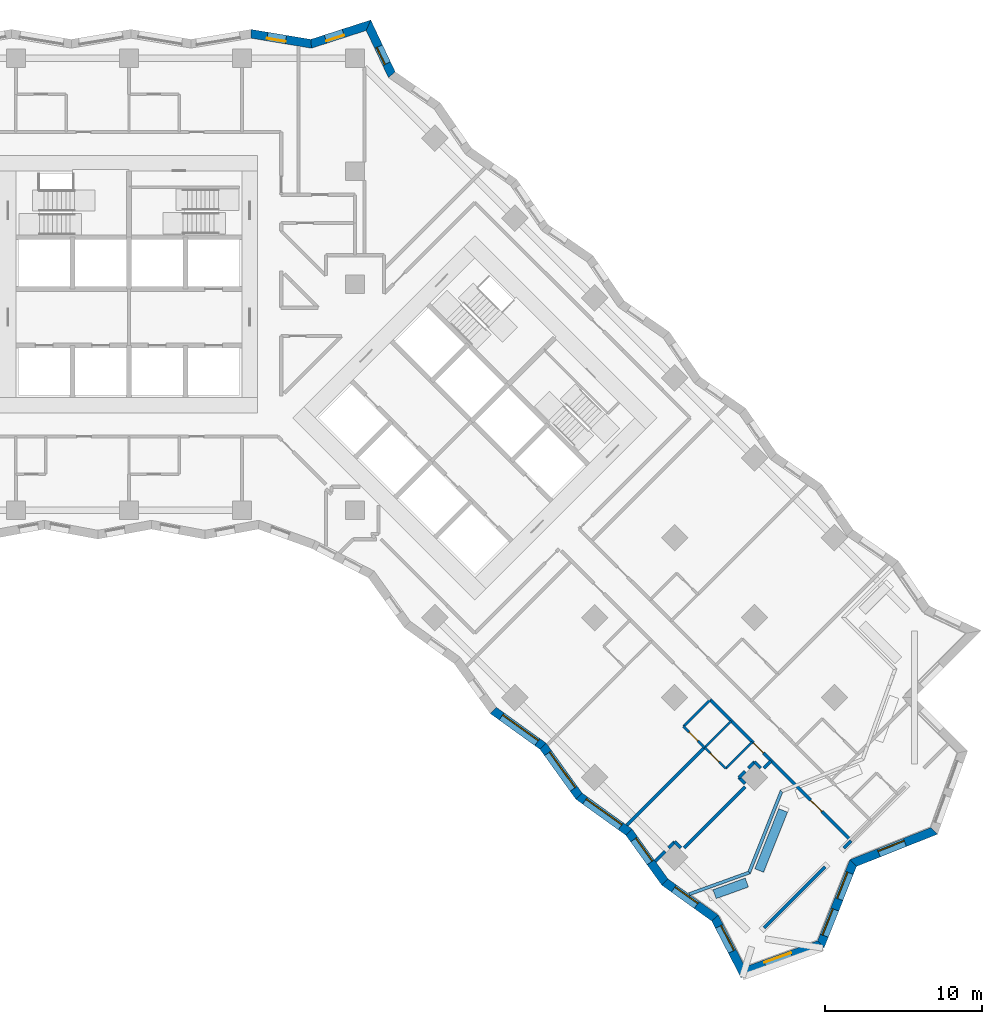
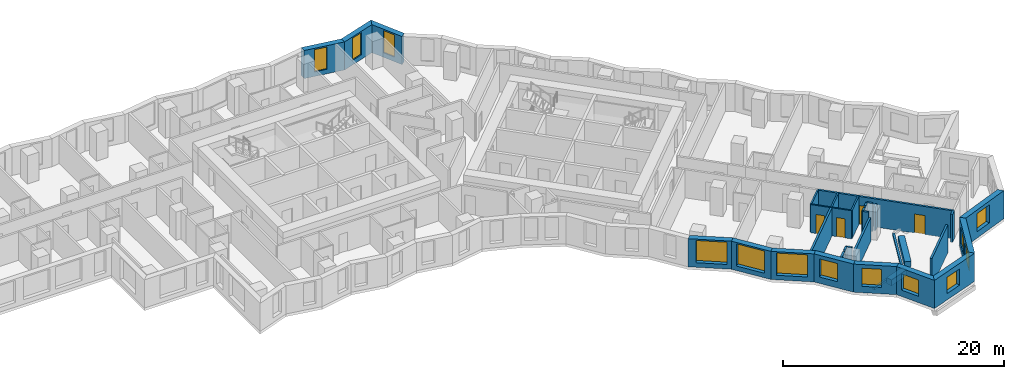
# One storey, part 7 of 13: 34 walls, 13 windows, 4 doors, 17 openings.
"""IFC4 building model written with IfcOpenShell, lengths in metres."""

import ifcopenshell
import ifcopenshell.guid

model = None  # the IFC model being written
_history = None  # IfcOwnerHistory: only IFC2X3 demands one
_inside = {}  # id of a spatial element -> (the spatial element, [elements in it])
_under = {}  # id of a project, library or spatial element -> (it, [spatial elements below it])
_declared = {}  # id of a project -> (the project, [libraries it declares])
_typed = {}  # id of a type object -> (the type object, [elements of that type])
_made_of = {}  # id of a material, layer set ... -> (it, [elements and type objects made of it])


def new_model(schema):
    """Start an empty IFC model of exactly this schema.

    Asked for "IFC4X3", IfcOpenShell would pick the latest addendum, in which some entities
    have other attributes; the version numbers below select the first issue.
    IFC2X3 requires an IfcOwnerHistory on every rooted entity: one is made here for all.
    """
    global model, _history
    if schema == "IFC4X3":
        model = ifcopenshell.file(schema_version=(4, 3, 0, 0))
    else:
        model = ifcopenshell.file(schema=schema)
    _inside.clear()
    _under.clear()
    _declared.clear()
    _typed.clear()
    _made_of.clear()
    _history = None
    if model.schema == "IFC2X3":
        org = make("IfcOrganization", Name="unknown")
        user = make(
            "IfcPersonAndOrganization",
            ThePerson=make("IfcPerson", FamilyName="unknown"),
            TheOrganization=org,
        )
        app = make(
            "IfcApplication",
            ApplicationDeveloper=org,
            Version="unknown",
            ApplicationFullName="unknown",
            ApplicationIdentifier="unknown",
        )
        _history = make(
            "IfcOwnerHistory",
            OwningUser=user,
            OwningApplication=app,
            ChangeAction="ADDED",
            CreationDate=0,
        )
    return model


def make(cls, **values):
    """One entity of the class cls with the attributes given. An attribute that is None is left unset."""
    return model.create_entity(
        cls, **{name: value for name, value in values.items() if value is not None}
    )


def rooted(cls, **values):
    """An entity with a GlobalId (a new one), such as an element, a storey or a relation."""
    return make(cls, GlobalId=ifcopenshell.guid.new(), OwnerHistory=_history, **values)


def si_unit(unit_type, name, prefix=None):
    """IfcSIUnit, for example si_unit("LENGTHUNIT", "METRE", prefix="MILLI")."""
    return make("IfcSIUnit", UnitType=unit_type, Prefix=prefix, Name=name)


def assignment(units):
    """IfcUnitAssignment: the units of a project."""
    return None if units is None else make("IfcUnitAssignment", Units=units)


def point(xyz):
    """IfcCartesianPoint."""
    return None if xyz is None else make("IfcCartesianPoint", Coordinates=xyz)


def direction(xyz):
    """IfcDirection."""
    return None if xyz is None else make("IfcDirection", DirectionRatios=xyz)


def frame(location, z_axis=None, x_axis=None):
    """IfcAxis2Placement3D, a coordinate frame: its origin and axes. An axis left out is left unset."""
    return make(
        "IfcAxis2Placement3D",
        Location=point(location),
        Axis=direction(z_axis),
        RefDirection=direction(x_axis),
    )


def frame_2d(location, x_axis=None):
    """IfcAxis2Placement2D, a coordinate frame in the plane: its origin and x axis."""
    return make(
        "IfcAxis2Placement2D", Location=point(location), RefDirection=direction(x_axis)
    )


def origin():
    """The frame at (0, 0, 0) with its axes left unset."""
    return frame((0.0, 0.0, 0.0))


def place(relative_to, where):
    """IfcLocalPlacement: puts the frame where relative to a parent placement (None: the world)."""
    return make(
        "IfcLocalPlacement", PlacementRelTo=relative_to, RelativePlacement=where
    )


def context(
    kind, dimensions, precision=None, world=None, true_north=None, identifier=None
):
    """IfcGeometricRepresentationContext, for example the 3D "Model" context."""
    return make(
        "IfcGeometricRepresentationContext",
        ContextIdentifier=identifier,
        ContextType=kind,
        CoordinateSpaceDimension=dimensions,
        Precision=precision,
        WorldCoordinateSystem=world,
        TrueNorth=true_north,
    )


def subcontext(parent, identifier, kind, view, scale=None):
    """IfcGeometricRepresentationSubContext, for example "Body" below "Model"."""
    return make(
        "IfcGeometricRepresentationSubContext",
        ContextIdentifier=identifier,
        ContextType=kind,
        ParentContext=parent,
        TargetScale=scale,
        TargetView=view,
    )


def project(units=None, contexts=None):
    """IfcProject with its units and contexts."""
    return rooted(
        "IfcProject",
        Name="project",
        RepresentationContexts=contexts,
        UnitsInContext=assignment(units),
    )


def spatial(cls, under=None, at=None, **own):
    """A site, building, storey or space (cls), placed at a placement, below another one or the project."""
    s = rooted(cls, ObjectPlacement=at, **own)
    if under is not None:
        _under.setdefault(under.id(), (under, []))[1].append(s)
    return s


def polyline(points):
    """IfcPolyline through the points."""
    return make("IfcPolyline", Points=[point(p) for p in points])


def profile(cls, at=None, kind="AREA", **sizes):
    """A parametric profile (cls). Its sizes go by their IFC names, for example OverallWidth=200.0."""
    return make(cls, ProfileType=kind, Position=at, **sizes)


def rectangle(**sizes):
    """IfcRectangleProfileDef."""
    return profile("IfcRectangleProfileDef", **sizes)


def outline(outer, holes=None, kind="AREA"):
    """IfcArbitraryClosedProfileDef: a profile drawn as a closed curve; with holes, ...WithVoids."""
    if holes is None:
        return make("IfcArbitraryClosedProfileDef", ProfileType=kind, OuterCurve=outer)
    return make(
        "IfcArbitraryProfileDefWithVoids",
        ProfileType=kind,
        OuterCurve=outer,
        InnerCurves=holes,
    )


def extrude(swept, where, along, depth):
    """IfcExtrudedAreaSolid: the profile swept, set in the frame where, extruded along a direction by depth."""
    return make(
        "IfcExtrudedAreaSolid",
        SweptArea=swept,
        Position=where,
        ExtrudedDirection=direction(along),
        Depth=depth,
    )


def shape(context_of_items, identifier, shape_type, items):
    """IfcShapeRepresentation: the items that make up one representation, for example the "Body"."""
    return make(
        "IfcShapeRepresentation",
        ContextOfItems=context_of_items,
        RepresentationIdentifier=identifier,
        RepresentationType=shape_type,
        Items=items,
    )


def material(Name=None, Category=None):
    """IfcMaterial."""
    return make("IfcMaterial", Name=Name, Category=Category)


def layer(
    of_material, thickness, ventilated=None, Name=None, Category=None, Priority=None
):
    """IfcMaterialLayer: one layer of a wall or slab, of a material (None: an air gap)."""
    return make(
        "IfcMaterialLayer",
        Material=of_material,
        LayerThickness=thickness,
        IsVentilated=ventilated,
        Name=Name,
        Category=Category,
        Priority=Priority,
    )


def layer_set(layers, Name=None):
    """IfcMaterialLayerSet."""
    return make("IfcMaterialLayerSet", MaterialLayers=layers, LayerSetName=Name)


def made_of(thing, what):
    """Note that an element or type object is made of a material, layer set ...; save() writes the relation."""
    if what is not None:
        _made_of.setdefault(what.id(), (what, []))[1].append(thing)
    return thing


def type_object(cls, material=None, **own):
    """A type object (cls), such as IfcWallType, which elements share."""
    return made_of(rooted(cls, **own), material)


def element(
    cls,
    number,
    at=None,
    inside=None,
    cuts=None,
    type_object=None,
    material=None,
    context=None,
    identifier="Body",
    shape_type=None,
    held_by="IfcProductDefinitionShape",
    body=None,
    shapes=None,
    **own,
):
    """One element of the class cls, such as IfcWall. Its Tag is "e" and its number.

    at: its placement. inside: the storey or other place that contains it. cuts: it is an
    opening in that element (IfcRelVoidsElement). A single representation is given by context,
    identifier, shape_type and body (its items); several are given by shapes. held_by: the class
    of the entity that holds the representations. save() writes the other relations.
    """
    e = rooted(cls, Tag="e%d" % number, ObjectPlacement=at, **own)
    if body is not None:
        shapes = [shape(context, identifier, shape_type, body)]
    if shapes is not None:
        e.Representation = make(held_by, Representations=shapes)
    if inside is not None:
        _inside.setdefault(inside.id(), (inside, []))[1].append(e)
    if cuts is not None:
        rooted(
            "IfcRelVoidsElement", RelatingBuildingElement=cuts, RelatedOpeningElement=e
        )
    if type_object is not None:
        _typed.setdefault(type_object.id(), (type_object, []))[1].append(e)
    return made_of(e, material)


def fill(opening, filler):
    """IfcRelFillsElement: the door or window that sits in an opening."""
    return rooted(
        "IfcRelFillsElement",
        RelatingOpeningElement=opening,
        RelatedBuildingElement=filler,
    )


def aggregate(whole, parts):
    """IfcRelAggregates: a whole, such as a stair, and the parts it consists of."""
    return rooted("IfcRelAggregates", RelatingObject=whole, RelatedObjects=parts)


def save(model, path):
    """Write the relations noted so far, then the file.

    IfcRelAggregates (storeys below a building ...), IfcRelContainedInSpatialStructure (elements
    in a storey), IfcRelDefinesByType, IfcRelAssociatesMaterial and IfcRelDeclares: one each for
    every whole, place, type object, material and project.
    """
    for whole, parts in _under.values():
        aggregate(whole, parts)
    for where, things in _inside.values():
        rooted(
            "IfcRelContainedInSpatialStructure",
            RelatedElements=things,
            RelatingStructure=where,
        )
    for kind, things in _typed.values():
        rooted("IfcRelDefinesByType", RelatedObjects=things, RelatingType=kind)
    for what, things in _made_of.values():
        rooted("IfcRelAssociatesMaterial", RelatedObjects=things, RelatingMaterial=what)
    for by, libraries in _declared.values():
        rooted("IfcRelDeclares", RelatingContext=by, RelatedDefinitions=libraries)
    model.write(path)


model = new_model("IFC4")

# Units and contexts
model_context = context("Model", 3, precision=1e-05, world=origin(), true_north=direction((0.0, 1.0)))
body_context = subcontext(model_context, "Body", "Model", "MODEL_VIEW")
ifc_project = project(units=[si_unit("LENGTHUNIT", "METRE"), si_unit("AREAUNIT", "SQUARE_METRE"), si_unit("VOLUMEUNIT", "CUBIC_METRE"), si_unit("PLANEANGLEUNIT", "RADIAN"), si_unit("MASSUNIT", "GRAM", prefix="KILO")], contexts=[model_context])

# Site, building, storey
site_placement = place(None, origin())
site = spatial("IfcSite", under=ifc_project, at=site_placement, CompositionType="ELEMENT")
building_placement = place(site_placement, origin())
building = spatial("IfcBuilding", under=site, at=building_placement, Name="Windrow Commons", CompositionType="ELEMENT")
storey_placement = place(building_placement, frame((0.0, 0.0, 64.4)))
storey = spatial("IfcBuildingStorey", under=building, at=storey_placement, Name="L17", CompositionType="ELEMENT", Elevation=64.4)

# Wall, opening, window
ifc_material_1 = material(Name="Brick masonry, red clay brick", Category="masonry")
ifc_layer_1 = layer(ifc_material_1, 0.55)
ifc_layer_set_1 = layer_set([ifc_layer_1], Name="Brick facade wall 550")
wall_type_1 = type_object("IfcWallType", Name="Brick facade wall 550", PredefinedType="SOLIDWALL", material=ifc_layer_set_1)
wall_1_placement = place(storey_placement, frame((103.9195, 13.7708, 0.0), z_axis=(0.0, 0.0, 1.0), x_axis=(0.9406967124, 0.3392487217, 0.0)))
wall_1 = element("IfcWall", 1, at=wall_1_placement, inside=storey, type_object=wall_type_1, Name="Brick facade wall L17 1", PredefinedType="SOLIDWALL", context=body_context, shape_type="SweptSolid", body=[
    extrude(outline(polyline([(-0.2411, -0.275), (5.4022, -0.275), (5.1546, 0.275), (0.2411, 0.275), (-0.2411, -0.275)])), origin(), (0.0, 0.0, 1.0), 3.1),
])
opening_1_placement = place(wall_1_placement, frame((1.4894, 0.0, 0.7)))
opening_1 = element("IfcOpeningElement", 2, at=opening_1_placement, cuts=wall_1, Name="Opening W1M", PredefinedType="OPENING", context=body_context, shape_type="SweptSolid", body=[
    extrude(rectangle(XDim=1.8, YDim=1.8, at=frame_2d((0.9, 0.9))), frame((0.0, 0.285, 0.0), z_axis=(0.0, -1.0, 0.0), x_axis=(1.0, 0.0, 0.0)), (0.0, 0.0, 1.0), 0.57),
])
ifc_material_2 = material(Name="Clear float glass in anodised aluminium frame", Category="aluminium")
window_type_1 = type_object("IfcWindowType", Name="Window W1M bedroom 1800x1800", PartitioningType="SINGLE_PANEL", PredefinedType="WINDOW", material=ifc_material_2)
window_1_placement = place(opening_1_placement, origin())
window_1 = element("IfcWindow", 3, at=window_1_placement, inside=storey, type_object=window_type_1, Name="Window L17 1.1", OverallHeight=1.8, OverallWidth=1.8, PartitioningType="SINGLE_PANEL", PredefinedType="WINDOW", context=body_context, shape_type="SweptSolid", body=[
    extrude(rectangle(XDim=1.8, YDim=1.8, at=frame_2d((0.9, 0.9))), frame((0.0, 0.155, 0.0), z_axis=(0.0, -1.0, 0.0), x_axis=(1.0, 0.0, 0.0)), (0.0, 0.0, 1.0), 0.06),
])
fill(opening_1, window_1)

# Wall, openings, windows
wall_2_placement = place(storey_placement, frame((108.8849, 15.5615, 0.0), z_axis=(0.0, 0.0, 1.0), x_axis=(0.3697018694, 0.9291504333, 0.0)))
wall_2 = element("IfcWall", 4, at=wall_2_placement, inside=storey, type_object=wall_type_1, Name="Brick facade wall L17 2", PredefinedType="SOLIDWALL", context=body_context, shape_type="SweptSolid", body=[
    extrude(outline(polyline([(-0.1238, -0.275), (5.4374, -0.275), (5.6743, 0.275), (0.1238, 0.275), (-0.1238, -0.275)])), origin(), (0.0, 0.0, 1.0), 3.1),
])
opening_2_placement = place(wall_2_placement, frame((0.5741, 0.0, 0.7)))
opening_2 = element("IfcOpeningElement", 5, at=opening_2_placement, cuts=wall_2, Name="Opening W1M", PredefinedType="OPENING", context=body_context, shape_type="SweptSolid", body=[
    extrude(rectangle(XDim=1.8, YDim=1.8, at=frame_2d((0.9, 0.9))), frame((0.0, 0.285, 0.0), z_axis=(0.0, -1.0, 0.0), x_axis=(1.0, 0.0, 0.0)), (0.0, 0.0, 1.0), 0.57),
])
opening_3_placement = place(wall_2_placement, frame((3.0901, 0.0, 0.7)))
opening_3 = element("IfcOpeningElement", 6, at=opening_3_placement, cuts=wall_2, Name="Opening W1M", PredefinedType="OPENING", context=body_context, shape_type="SweptSolid", body=[
    extrude(rectangle(XDim=1.8, YDim=1.8, at=frame_2d((0.9, 0.9))), frame((0.0, 0.285, 0.0), z_axis=(0.0, -1.0, 0.0), x_axis=(1.0, 0.0, 0.0)), (0.0, 0.0, 1.0), 0.57),
])
window_2_placement = place(opening_2_placement, origin())
window_2 = element("IfcWindow", 7, at=window_2_placement, inside=storey, type_object=window_type_1, Name="Window L17 2.1", OverallHeight=1.8, OverallWidth=1.8, PartitioningType="SINGLE_PANEL", PredefinedType="WINDOW", context=body_context, shape_type="SweptSolid", body=[
    extrude(rectangle(XDim=1.8, YDim=1.8, at=frame_2d((0.9, 0.9))), frame((0.0, 0.155, 0.0), z_axis=(0.0, -1.0, 0.0), x_axis=(1.0, 0.0, 0.0)), (0.0, 0.0, 1.0), 0.06),
])
fill(opening_2, window_2)
window_3_placement = place(opening_3_placement, origin())
window_3 = element("IfcWindow", 8, at=window_3_placement, inside=storey, type_object=window_type_1, Name="Window L17 2.2", OverallHeight=1.8, OverallWidth=1.8, PartitioningType="SINGLE_PANEL", PredefinedType="WINDOW", context=body_context, shape_type="SweptSolid", body=[
    extrude(rectangle(XDim=1.8, YDim=1.8, at=frame_2d((0.9, 0.9))), frame((0.0, 0.155, 0.0), z_axis=(0.0, -1.0, 0.0), x_axis=(1.0, 0.0, 0.0)), (0.0, 0.0, 1.0), 0.06),
])
fill(opening_3, window_3)

# Wall, opening, window
wall_3_placement = place(storey_placement, frame((110.9389, 20.7237, 0.0), z_axis=(0.0, 0.0, 1.0), x_axis=(0.9291504333, 0.3697018694, 0.0)))
wall_3 = element("IfcWall", 9, at=wall_3_placement, inside=storey, type_object=wall_type_1, Name="Brick facade wall L17 3", PredefinedType="SOLIDWALL", context=body_context, shape_type="SweptSolid", body=[
    extrude(outline(polyline([(0.1185, -0.275), (5.6796, -0.275), (5.432, 0.275), (-0.1185, 0.275), (0.1185, -0.275)])), origin(), (0.0, 0.0, 1.0), 3.1),
])
opening_4_placement = place(wall_3_placement, frame((1.7488, 0.0, 0.7)))
opening_4 = element("IfcOpeningElement", 10, at=opening_4_placement, cuts=wall_3, Name="Opening W1", PredefinedType="OPENING", context=body_context, shape_type="SweptSolid", body=[
    extrude(rectangle(XDim=1.8, YDim=2.0, at=frame_2d((0.9, 1.0))), frame((0.0, 0.285, 0.0), z_axis=(0.0, -1.0, 0.0), x_axis=(1.0, 0.0, 0.0)), (0.0, 0.0, 1.0), 0.57),
])
ifc_material_3 = material(Name="Clear float glass in anodised aluminium frame", Category="aluminium")
window_type_2 = type_object("IfcWindowType", Name="Window W1 bedroom 1800x2000", PartitioningType="SINGLE_PANEL", PredefinedType="WINDOW", material=ifc_material_3)
window_4_placement = place(opening_4_placement, origin())
window_4 = element("IfcWindow", 11, at=window_4_placement, inside=storey, type_object=window_type_2, Name="Window L17 3.1", OverallHeight=2.0, OverallWidth=1.8, PartitioningType="SINGLE_PANEL", PredefinedType="WINDOW", context=body_context, shape_type="SweptSolid", body=[
    extrude(rectangle(XDim=1.8, YDim=2.0, at=frame_2d((0.9, 1.0))), frame((0.0, 0.155, 0.0), z_axis=(0.0, -1.0, 0.0), x_axis=(1.0, 0.0, 0.0)), (0.0, 0.0, 1.0), 0.06),
])
fill(opening_4, window_4)

wall_4_placement = place(storey_placement, frame((81.548, 70.9477, 0.0), z_axis=(0.0, 0.0, 1.0), x_axis=(-0.427600137, 0.9039679877, 0.0)))
wall_4 = element("IfcWall", 12, at=wall_4_placement, inside=storey, type_object=wall_type_1, Name="Brick facade wall L17 22", PredefinedType="SOLIDWALL", context=body_context, shape_type="SweptSolid", body=[
    extrude(outline(polyline([(0.0739, -0.275), (3.7254, -0.275), (3.2423, 0.275), (-0.0739, 0.275), (0.0739, -0.275)])), origin(), (0.0, 0.0, 1.0), 3.1),
])
opening_5_placement = place(wall_4_placement, frame((0.7768, 0.0, 0.5)))
opening_5 = element("IfcOpeningElement", 13, at=opening_5_placement, cuts=wall_4, Name="Opening W7D", PredefinedType="OPENING", context=body_context, shape_type="SweptSolid", body=[
    extrude(rectangle(XDim=1.2, YDim=2.45, at=frame_2d((0.6, 1.225))), frame((0.0, 0.285, 0.0), z_axis=(0.0, -1.0, 0.0), x_axis=(1.0, 0.0, 0.0)), (0.0, 0.0, 1.0), 0.57),
])
ifc_material_4 = material(Name="Clear float glass in anodised aluminium frame", Category="aluminium")
window_type_3 = type_object("IfcWindowType", Name="Window W7 notch 1200x2450", PartitioningType="SINGLE_PANEL", PredefinedType="WINDOW", material=ifc_material_4)
window_5_placement = place(opening_5_placement, origin())
window_5 = element("IfcWindow", 14, at=window_5_placement, inside=storey, type_object=window_type_3, Name="Window L17 22.1", OverallHeight=2.45, OverallWidth=1.2, PartitioningType="SINGLE_PANEL", PredefinedType="WINDOW", context=body_context, shape_type="SweptSolid", body=[
    extrude(rectangle(XDim=1.2, YDim=2.45, at=frame_2d((0.6, 1.225))), frame((0.0, 0.155, 0.0), z_axis=(0.0, -1.0, 0.0), x_axis=(1.0, 0.0, 0.0)), (0.0, 0.0, 1.0), 0.06),
])
fill(opening_5, window_5)

wall_5_placement = place(storey_placement, frame((80.0583, 74.097, 0.0), z_axis=(0.0, 0.0, 1.0), x_axis=(-0.951538377, -0.3075300264, 0.0)))
wall_5 = element("IfcWall", 15, at=wall_5_placement, inside=storey, type_object=wall_type_1, Name="Brick facade wall L17 23", PredefinedType="SOLIDWALL", context=body_context, shape_type="SweptSolid", body=[
    extrude(outline(polyline([(-0.2416, -0.275), (3.7675, -0.275), (3.9013, 0.275), (0.2416, 0.275), (-0.2416, -0.275)])), origin(), (0.0, 0.0, 1.0), 3.1),
])
opening_6_placement = place(wall_5_placement, frame((1.6682, 0.0, 0.5)))
opening_6 = element("IfcOpeningElement", 16, at=opening_6_placement, cuts=wall_5, Name="Opening W7D", PredefinedType="OPENING", context=body_context, shape_type="SweptSolid", body=[
    extrude(rectangle(XDim=1.2, YDim=2.45, at=frame_2d((0.6, 1.225))), frame((0.0, 0.285, 0.0), z_axis=(0.0, -1.0, 0.0), x_axis=(1.0, 0.0, 0.0)), (0.0, 0.0, 1.0), 0.57),
])
window_6_placement = place(opening_6_placement, origin())
window_6 = element("IfcWindow", 17, at=window_6_placement, inside=storey, type_object=window_type_3, Name="Window L17 23.1", OverallHeight=2.45, OverallWidth=1.2, PartitioningType="SINGLE_PANEL", PredefinedType="WINDOW", context=body_context, shape_type="SweptSolid", body=[
    extrude(rectangle(XDim=1.2, YDim=2.45, at=frame_2d((0.6, 1.225))), frame((0.0, 0.155, 0.0), z_axis=(0.0, -1.0, 0.0), x_axis=(1.0, 0.0, 0.0)), (0.0, 0.0, 1.0), 0.06),
])
fill(opening_6, window_6)

wall_6_placement = place(storey_placement, frame((76.4097, 72.9178, 0.0), z_axis=(0.0, 0.0, 1.0), x_axis=(-0.9865139149, 0.1636774136, 0.0)))
wall_6 = element("IfcWall", 18, at=wall_6_placement, inside=storey, type_object=wall_type_1, Name="Brick facade wall L17 24", PredefinedType="SOLIDWALL", context=body_context, shape_type="SweptSolid", body=[
    extrude(outline(polyline([(0.0669, -0.275), (3.9338, -0.275), (3.8426, 0.275), (-0.0669, 0.275), (0.0669, -0.275)])), origin(), (0.0, 0.0, 1.0), 3.1),
])
opening_7_placement = place(wall_6_placement, frame((1.6317, 0.0, 0.5)))
opening_7 = element("IfcOpeningElement", 19, at=opening_7_placement, cuts=wall_6, Name="Opening W7D", PredefinedType="OPENING", context=body_context, shape_type="SweptSolid", body=[
    extrude(rectangle(XDim=1.2, YDim=2.45, at=frame_2d((0.6, 1.225))), frame((0.0, 0.285, 0.0), z_axis=(0.0, -1.0, 0.0), x_axis=(1.0, 0.0, 0.0)), (0.0, 0.0, 1.0), 0.57),
])
window_7_placement = place(opening_7_placement, origin())
window_7 = element("IfcWindow", 20, at=window_7_placement, inside=storey, type_object=window_type_3, Name="Window L17 24.1", OverallHeight=2.45, OverallWidth=1.2, PartitioningType="SINGLE_PANEL", PredefinedType="WINDOW", context=body_context, shape_type="SweptSolid", body=[
    extrude(rectangle(XDim=1.2, YDim=2.45, at=frame_2d((0.6, 1.225))), frame((0.0, 0.155, 0.0), z_axis=(0.0, -1.0, 0.0), x_axis=(1.0, 0.0, 0.0)), (0.0, 0.0, 1.0), 0.06),
])
fill(opening_7, window_7)

wall_7_placement = place(storey_placement, frame((88.0054, 30.4536, 0.0), z_axis=(0.0, 0.0, 1.0), x_axis=(0.8116253681, -0.5841782792, 0.0)))
wall_7 = element("IfcWall", 21, at=wall_7_placement, inside=storey, type_object=wall_type_1, Name="Brick facade wall L17 58", PredefinedType="SOLIDWALL", context=body_context, shape_type="SweptSolid", body=[
    extrude(outline(polyline([(-0.0448, -0.275), (3.8722, -0.275), (3.9618, 0.275), (0.0448, 0.275), (-0.0448, -0.275)])), origin(), (0.0, 0.0, 1.0), 3.1),
])
opening_8_placement = place(wall_7_placement, frame((0.6591, 0.0, 0.5)))
opening_8 = element("IfcOpeningElement", 22, at=opening_8_placement, cuts=wall_7, Name="Opening W1T", PredefinedType="OPENING", context=body_context, shape_type="SweptSolid", body=[
    extrude(rectangle(XDim=2.8, YDim=2.45, at=frame_2d((1.4, 1.225))), frame((0.0, 0.285, 0.0), z_axis=(0.0, -1.0, 0.0), x_axis=(1.0, 0.0, 0.0)), (0.0, 0.0, 1.0), 0.57),
])
ifc_material_5 = material(Name="Clear float glass in anodised aluminium frame", Category="aluminium")
window_type_4 = type_object("IfcWindowType", Name="Window W1T bedroom 2800x2450", PartitioningType="SINGLE_PANEL", PredefinedType="WINDOW", material=ifc_material_5)
window_8_placement = place(opening_8_placement, origin())
window_8 = element("IfcWindow", 23, at=window_8_placement, inside=storey, type_object=window_type_4, Name="Window L17 58.1", OverallHeight=2.45, OverallWidth=2.8, PartitioningType="SINGLE_PANEL", PredefinedType="WINDOW", context=body_context, shape_type="SweptSolid", body=[
    extrude(rectangle(XDim=2.8, YDim=2.45, at=frame_2d((1.4, 1.225))), frame((0.0, 0.155, 0.0), z_axis=(0.0, -1.0, 0.0), x_axis=(1.0, 0.0, 0.0)), (0.0, 0.0, 1.0), 0.06),
])
fill(opening_8, window_8)

wall_8_placement = place(storey_placement, frame((91.1845, 28.1654, 0.0), z_axis=(0.0, 0.0, 1.0), x_axis=(0.5841782792, -0.8116253681, 0.0)))
wall_8 = element("IfcWall", 24, at=wall_8_placement, inside=storey, type_object=wall_type_1, Name="Brick facade wall L17 59", PredefinedType="SOLIDWALL", context=body_context, shape_type="SweptSolid", body=[
    extrude(outline(polyline([(0.0448, -0.275), (3.9618, -0.275), (3.8722, 0.275), (-0.0448, 0.275), (0.0448, -0.275)])), origin(), (0.0, 0.0, 1.0), 3.1),
])
opening_9_placement = place(wall_8_placement, frame((0.5361, 0.0, 0.5)))
opening_9 = element("IfcOpeningElement", 25, at=opening_9_placement, cuts=wall_8, Name="Opening W1T", PredefinedType="OPENING", context=body_context, shape_type="SweptSolid", body=[
    extrude(rectangle(XDim=2.8, YDim=2.45, at=frame_2d((1.4, 1.225))), frame((0.0, 0.285, 0.0), z_axis=(0.0, -1.0, 0.0), x_axis=(1.0, 0.0, 0.0)), (0.0, 0.0, 1.0), 0.57),
])
window_9_placement = place(opening_9_placement, origin())
window_9 = element("IfcWindow", 26, at=window_9_placement, inside=storey, type_object=window_type_4, Name="Window L17 59.1", OverallHeight=2.45, OverallWidth=2.8, PartitioningType="SINGLE_PANEL", PredefinedType="WINDOW", context=body_context, shape_type="SweptSolid", body=[
    extrude(rectangle(XDim=2.8, YDim=2.45, at=frame_2d((1.4, 1.225))), frame((0.0, 0.155, 0.0), z_axis=(0.0, -1.0, 0.0), x_axis=(1.0, 0.0, 0.0)), (0.0, 0.0, 1.0), 0.06),
])
fill(opening_9, window_9)

wall_9_placement = place(storey_placement, frame((93.4727, 24.9863, 0.0), z_axis=(0.0, 0.0, 1.0), x_axis=(0.8116253681, -0.5841782792, 0.0)))
wall_9 = element("IfcWall", 27, at=wall_9_placement, inside=storey, type_object=wall_type_1, Name="Brick facade wall L17 60", PredefinedType="SOLIDWALL", context=body_context, shape_type="SweptSolid", body=[
    extrude(outline(polyline([(-0.0448, -0.275), (3.8722, -0.275), (3.9618, 0.275), (0.0448, 0.275), (-0.0448, -0.275)])), origin(), (0.0, 0.0, 1.0), 3.1),
])
opening_10_placement = place(wall_9_placement, frame((0.4772, 0.0, 0.5)))
opening_10 = element("IfcOpeningElement", 28, at=opening_10_placement, cuts=wall_9, Name="Opening W1T", PredefinedType="OPENING", context=body_context, shape_type="SweptSolid", body=[
    extrude(rectangle(XDim=2.8, YDim=2.45, at=frame_2d((1.4, 1.225))), frame((0.0, 0.285, 0.0), z_axis=(0.0, -1.0, 0.0), x_axis=(1.0, 0.0, 0.0)), (0.0, 0.0, 1.0), 0.57),
])
window_10_placement = place(opening_10_placement, origin())
window_10 = element("IfcWindow", 29, at=window_10_placement, inside=storey, type_object=window_type_4, Name="Window L17 60.1", OverallHeight=2.45, OverallWidth=2.8, PartitioningType="SINGLE_PANEL", PredefinedType="WINDOW", context=body_context, shape_type="SweptSolid", body=[
    extrude(rectangle(XDim=2.8, YDim=2.45, at=frame_2d((1.4, 1.225))), frame((0.0, 0.155, 0.0), z_axis=(0.0, -1.0, 0.0), x_axis=(1.0, 0.0, 0.0)), (0.0, 0.0, 1.0), 0.06),
])
fill(opening_10, window_10)

wall_10_placement = place(storey_placement, frame((96.6518, 22.6981, 0.0), z_axis=(0.0, 0.0, 1.0), x_axis=(0.5841782792, -0.8116253681, 0.0)))
wall_10 = element("IfcWall", 30, at=wall_10_placement, inside=storey, type_object=wall_type_1, Name="Brick facade wall L17 61", PredefinedType="SOLIDWALL", context=body_context, shape_type="SweptSolid", body=[
    extrude(outline(polyline([(0.0448, -0.275), (3.9618, -0.275), (3.8722, 0.275), (-0.0448, 0.275), (0.0448, -0.275)])), origin(), (0.0, 0.0, 1.0), 3.1),
])
opening_11_placement = place(wall_10_placement, frame((0.5701, 0.0, 0.7)))
opening_11 = element("IfcOpeningElement", 31, at=opening_11_placement, cuts=wall_10, Name="Opening W1", PredefinedType="OPENING", context=body_context, shape_type="SweptSolid", body=[
    extrude(rectangle(XDim=1.8, YDim=2.0, at=frame_2d((0.9, 1.0))), frame((0.0, 0.285, 0.0), z_axis=(0.0, -1.0, 0.0), x_axis=(1.0, 0.0, 0.0)), (0.0, 0.0, 1.0), 0.57),
])
window_11_placement = place(opening_11_placement, origin())
window_11 = element("IfcWindow", 32, at=window_11_placement, inside=storey, type_object=window_type_2, Name="Window L17 61.1", OverallHeight=2.0, OverallWidth=1.8, PartitioningType="SINGLE_PANEL", PredefinedType="WINDOW", context=body_context, shape_type="SweptSolid", body=[
    extrude(rectangle(XDim=1.8, YDim=2.0, at=frame_2d((0.9, 1.0))), frame((0.0, 0.155, 0.0), z_axis=(0.0, -1.0, 0.0), x_axis=(1.0, 0.0, 0.0)), (0.0, 0.0, 1.0), 0.06),
])
fill(opening_11, window_11)

wall_11_placement = place(storey_placement, frame((98.94, 19.519, 0.0), z_axis=(0.0, 0.0, 1.0), x_axis=(0.8116263259, -0.5841769485, 0.0)))
wall_11 = element("IfcWall", 33, at=wall_11_placement, inside=storey, type_object=wall_type_1, Name="Brick facade wall L17 62", PredefinedType="SOLIDWALL", context=body_context, shape_type="SweptSolid", body=[
    extrude(outline(polyline([(-0.0448, -0.275), (3.8722, -0.275), (4.0037, 0.275), (0.0448, 0.275), (-0.0448, -0.275)])), origin(), (0.0, 0.0, 1.0), 3.1),
])
opening_12_placement = place(wall_11_placement, frame((0.7078, 0.0, 0.7)))
opening_12 = element("IfcOpeningElement", 34, at=opening_12_placement, cuts=wall_11, Name="Opening W1", PredefinedType="OPENING", context=body_context, shape_type="SweptSolid", body=[
    extrude(rectangle(XDim=1.8, YDim=2.0, at=frame_2d((0.9, 1.0))), frame((0.0, 0.285, 0.0), z_axis=(0.0, -1.0, 0.0), x_axis=(1.0, 0.0, 0.0)), (0.0, 0.0, 1.0), 0.57),
])
window_12_placement = place(opening_12_placement, origin())
window_12 = element("IfcWindow", 35, at=window_12_placement, inside=storey, type_object=window_type_2, Name="Window L17 62.1", OverallHeight=2.0, OverallWidth=1.8, PartitioningType="SINGLE_PANEL", PredefinedType="WINDOW", context=body_context, shape_type="SweptSolid", body=[
    extrude(rectangle(XDim=1.8, YDim=2.0, at=frame_2d((0.9, 1.0))), frame((0.0, 0.155, 0.0), z_axis=(0.0, -1.0, 0.0), x_axis=(1.0, 0.0, 0.0)), (0.0, 0.0, 1.0), 0.06),
])
fill(opening_12, window_12)

wall_12_placement = place(storey_placement, frame((102.1362, 17.2185, 0.0), z_axis=(0.0, 0.0, 1.0), x_axis=(0.4594243206, -0.8882169181, 0.0)))
wall_12 = element("IfcWall", 36, at=wall_12_placement, inside=storey, type_object=wall_type_1, Name="Brick facade wall L17 63", PredefinedType="SOLIDWALL", context=body_context, shape_type="SweptSolid", body=[
    extrude(outline(polyline([(0.0658, -0.275), (4.1227, -0.275), (3.6405, 0.275), (-0.0658, 0.275), (0.0658, -0.275)])), origin(), (0.0, 0.0, 1.0), 3.1),
])
opening_13_placement = place(wall_12_placement, frame((0.588, 0.0, 0.7)))
opening_13 = element("IfcOpeningElement", 37, at=opening_13_placement, cuts=wall_12, Name="Opening W1M", PredefinedType="OPENING", context=body_context, shape_type="SweptSolid", body=[
    extrude(rectangle(XDim=1.8, YDim=1.8, at=frame_2d((0.9, 0.9))), frame((0.0, 0.285, 0.0), z_axis=(0.0, -1.0, 0.0), x_axis=(1.0, 0.0, 0.0)), (0.0, 0.0, 1.0), 0.57),
])
window_13_placement = place(opening_13_placement, origin())
window_13 = element("IfcWindow", 38, at=window_13_placement, inside=storey, type_object=window_type_1, Name="Window L17 63.1", OverallHeight=1.8, OverallWidth=1.8, PartitioningType="SINGLE_PANEL", PredefinedType="WINDOW", context=body_context, shape_type="SweptSolid", body=[
    extrude(rectangle(XDim=1.8, YDim=1.8, at=frame_2d((0.9, 0.9))), frame((0.0, 0.155, 0.0), z_axis=(0.0, -1.0, 0.0), x_axis=(1.0, 0.0, 0.0)), (0.0, 0.0, 1.0), 0.06),
])
fill(opening_13, window_13)

# Wall, openings, doors
ifc_material_6 = material(Name="Blockwork partition", Category="masonry")
ifc_layer_2 = layer(ifc_material_6, 0.2)
ifc_layer_set_2 = layer_set([ifc_layer_2], Name="IW-CORRIDOR-200")
wall_type_2 = type_object("IfcWallType", Name="IW-CORRIDOR-200", PredefinedType="PARTITIONING", material=ifc_layer_set_2)
wall_13_placement = place(storey_placement, frame((101.8251, 31.1251, 0.0), z_axis=(0.0, 0.0, 1.0), x_axis=(0.7071067812, -0.7071067812, 0.0)))
wall_13 = element("IfcWall", 39, at=wall_13_placement, inside=storey, type_object=wall_type_2, Name="W-L17-W005", PredefinedType="PARTITIONING", context=body_context, shape_type="SweptSolid", body=[
    extrude(rectangle(XDim=12.6996, YDim=0.2, at=frame_2d((6.3498, 0.0))), origin(), (0.0, 0.0, 1.0), 3.1),
])
opening_14_placement = place(wall_13_placement, frame((3.8954, 0.0, 0.0)))
opening_14 = element("IfcOpeningElement", 40, at=opening_14_placement, cuts=wall_13, Name="Opening D109S", PredefinedType="OPENING", context=body_context, shape_type="SweptSolid", body=[
    extrude(rectangle(XDim=0.9, YDim=2.1, at=frame_2d((0.45, 1.05))), frame((0.0, 0.11, 0.0), z_axis=(0.0, -1.0, 0.0), x_axis=(1.0, 0.0, 0.0)), (0.0, 0.0, 1.0), 0.22),
])
opening_15_placement = place(wall_13_placement, frame((9.0562, 0.0, 0.0)))
opening_15 = element("IfcOpeningElement", 41, at=opening_15_placement, cuts=wall_13, Name="Opening D310F", PredefinedType="OPENING", context=body_context, shape_type="SweptSolid", body=[
    extrude(rectangle(XDim=1.0, YDim=2.1, at=frame_2d((0.5, 1.05))), frame((0.0, 0.11, 0.0), z_axis=(0.0, -1.0, 0.0), x_axis=(1.0, 0.0, 0.0)), (0.0, 0.0, 1.0), 0.22),
])
ifc_material_7 = material(Name="Timber door leaf", Category="wood")
door_type_1 = type_object("IfcDoorType", Name="DT-AMENITY-1000", OperationType="SINGLE_SWING_LEFT", PredefinedType="DOOR", material=ifc_material_7)
door_1_placement = place(opening_15_placement, origin())
door_1 = element("IfcDoor", 42, at=door_1_placement, inside=storey, type_object=door_type_1, Name="D-L17-D053", OperationType="SINGLE_SWING_RIGHT", OverallHeight=2.1, OverallWidth=1.0, PredefinedType="DOOR", context=body_context, shape_type="SweptSolid", body=[
    extrude(rectangle(XDim=1.0, YDim=2.1, at=frame_2d((0.5, 1.05))), frame((0.0, 0.025, 0.0), z_axis=(0.0, -1.0, 0.0), x_axis=(1.0, 0.0, 0.0)), (0.0, 0.0, 1.0), 0.05),
])
fill(opening_15, door_1)
ifc_material_8 = material(Name="Timber door leaf", Category="wood")
door_type_2 = type_object("IfcDoorType", Name="DT-BEDROOM-900", OperationType="SINGLE_SWING_LEFT", PredefinedType="DOOR", material=ifc_material_8)
door_2_placement = place(opening_14_placement, origin())
door_2 = element("IfcDoor", 43, at=door_2_placement, inside=storey, type_object=door_type_2, Name="D-L17-D051", OperationType="SINGLE_SWING_LEFT", OverallHeight=2.1, OverallWidth=0.9, PredefinedType="DOOR", context=body_context, shape_type="SweptSolid", body=[
    extrude(rectangle(XDim=0.9, YDim=2.1, at=frame_2d((0.45, 1.05))), frame((0.0, 0.025, 0.0), z_axis=(0.0, -1.0, 0.0), x_axis=(1.0, 0.0, 0.0)), (0.0, 0.0, 1.0), 0.05),
])
fill(opening_14, door_2)

# Walls
ifc_material_9 = material(Name="Blockwork partition", Category="masonry")
ifc_layer_3 = layer(ifc_material_9, 0.15)
ifc_layer_set_3 = layer_set([ifc_layer_3], Name="IW-ENSUITE-150")
wall_type_3 = type_object("IfcWallType", Name="IW-ENSUITE-150", PredefinedType="PARTITIONING", material=ifc_layer_set_3)
wall_14_placement = place(storey_placement, frame((100.1293, 29.4327, 0.0), z_axis=(0.0, 0.0, 1.0), x_axis=(0.7071067812, 0.7071067812, 0.0)))
element("IfcWall", 44, at=wall_14_placement, inside=storey, type_object=wall_type_3, Name="W-L17-W073", PredefinedType="PARTITIONING", context=body_context, shape_type="SweptSolid", body=[
    extrude(rectangle(XDim=2.4013, YDim=0.15, at=frame_2d((1.2006, 0.0))), origin(), (0.0, 0.0, 1.0), 3.1),
])
wall_15_placement = place(storey_placement, frame((101.477, 28.085, 0.0), z_axis=(0.0, 0.0, 1.0), x_axis=(0.706689978, 0.7075233388, 0.0)))
element("IfcWall", 45, at=wall_15_placement, inside=storey, type_object=wall_type_3, Name="W-L17-W102", PredefinedType="PARTITIONING", context=body_context, shape_type="SweptSolid", body=[
    extrude(rectangle(XDim=2.3999, YDim=0.15, at=frame_2d((1.2, 0.0))), origin(), (0.0, 0.0, 1.0), 3.1),
])
wall_16_placement = place(storey_placement, frame((102.8173, 26.7467, 0.0), z_axis=(0.0, 0.0, 1.0), x_axis=(0.7071067812, 0.7071067812, 0.0)))
element("IfcWall", 46, at=wall_16_placement, inside=storey, type_object=wall_type_3, Name="W-L17-W107", PredefinedType="PARTITIONING", context=body_context, shape_type="SweptSolid", body=[
    extrude(rectangle(XDim=2.3985, YDim=0.15, at=frame_2d((1.1992, 0.0))), origin(), (0.0, 0.0, 1.0), 3.1),
])

# Wall, opening, door
wall_17_placement = place(storey_placement, frame((100.1271, 29.4291, 0.0), z_axis=(0.0, 0.0, 1.0), x_axis=(0.7071067812, -0.7071067812, 0.0)))
wall_17 = element("IfcWall", 47, at=wall_17_placement, inside=storey, type_object=wall_type_3, Name="W-L17-W114", PredefinedType="PARTITIONING", context=body_context, shape_type="SweptSolid", body=[
    extrude(rectangle(XDim=1.9007, YDim=0.15, at=frame_2d((0.9504, 0.0))), origin(), (0.0, 0.0, 1.0), 3.1),
])
opening_16_placement = place(wall_17_placement, frame((0.5077, 0.0, 0.0)))
opening_16 = element("IfcOpeningElement", 48, at=opening_16_placement, cuts=wall_17, Name="Opening D208N", PredefinedType="OPENING", context=body_context, shape_type="SweptSolid", body=[
    extrude(rectangle(XDim=0.8, YDim=2.1, at=frame_2d((0.4, 1.05))), frame((0.0, 0.085, 0.0), z_axis=(0.0, -1.0, 0.0), x_axis=(1.0, 0.0, 0.0)), (0.0, 0.0, 1.0), 0.17),
])
ifc_material_10 = material(Name="Timber door leaf", Category="wood")
door_type_3 = type_object("IfcDoorType", Name="DT-ENSUITE-800", OperationType="SINGLE_SWING_LEFT", PredefinedType="DOOR", material=ifc_material_10)
door_3_placement = place(opening_16_placement, origin())
door_3 = element("IfcDoor", 49, at=door_3_placement, inside=storey, type_object=door_type_3, Name="D-L17-D050", OperationType="SINGLE_SWING_RIGHT", OverallHeight=2.1, OverallWidth=0.8, PredefinedType="DOOR", context=body_context, shape_type="SweptSolid", body=[
    extrude(rectangle(XDim=0.8, YDim=2.1, at=frame_2d((0.4, 1.05))), frame((0.0, 0.025, 0.0), z_axis=(0.0, -1.0, 0.0), x_axis=(1.0, 0.0, 0.0)), (0.0, 0.0, 1.0), 0.05),
])
fill(opening_16, door_3)

wall_18_placement = place(storey_placement, frame((101.4772, 28.0912, 0.0), z_axis=(0.0, 0.0, 1.0), x_axis=(0.7076330979, -0.7065800724, 0.0)))
wall_18 = element("IfcWall", 50, at=wall_18_placement, inside=storey, type_object=wall_type_3, Name="W-L17-W127", PredefinedType="PARTITIONING", context=body_context, shape_type="SweptSolid", body=[
    extrude(rectangle(XDim=1.8993, YDim=0.15, at=frame_2d((0.9496, 0.0))), origin(), (0.0, 0.0, 1.0), 3.1),
])
opening_17_placement = place(wall_18_placement, frame((0.5015, 0.0, 0.0)))
opening_17 = element("IfcOpeningElement", 51, at=opening_17_placement, cuts=wall_18, Name="Opening D208N", PredefinedType="OPENING", context=body_context, shape_type="SweptSolid", body=[
    extrude(rectangle(XDim=0.8, YDim=2.1, at=frame_2d((0.4, 1.05))), frame((0.0, 0.085, 0.0), z_axis=(0.0, -1.0, 0.0), x_axis=(1.0, 0.0, 0.0)), (0.0, 0.0, 1.0), 0.17),
])
door_4_placement = place(opening_17_placement, origin())
door_4 = element("IfcDoor", 52, at=door_4_placement, inside=storey, type_object=door_type_3, Name="D-L17-D052", OperationType="SINGLE_SWING_RIGHT", OverallHeight=2.1, OverallWidth=0.8, PredefinedType="DOOR", context=body_context, shape_type="SweptSolid", body=[
    extrude(rectangle(XDim=0.8, YDim=2.1, at=frame_2d((0.4, 1.05))), frame((0.0, 0.025, 0.0), z_axis=(0.0, -1.0, 0.0), x_axis=(1.0, 0.0, 0.0)), (0.0, 0.0, 1.0), 0.05),
])
fill(opening_17, door_4)

# Walls
ifc_material_11 = material(Name="Blockwork partition", Category="masonry")
ifc_layer_4 = layer(ifc_material_11, 0.2)
ifc_layer_set_4 = layer_set([ifc_layer_4], Name="IW-PARTY-200")
wall_type_4 = type_object("IfcWallType", Name="IW-PARTY-200", PredefinedType="PARTITIONING", material=ifc_layer_set_4)
wall_19_placement = place(storey_placement, frame((96.5173, 23.1338, 0.0), z_axis=(0.0, 0.0, 1.0), x_axis=(0.7071139158, 0.7070996465, 0.0)))
element("IfcWall", 53, at=wall_19_placement, inside=storey, type_object=wall_type_4, Name="W-L17-W025", PredefinedType="PARTITIONING", context=body_context, shape_type="SweptSolid", body=[
    extrude(rectangle(XDim=7.0081, YDim=0.2, at=frame_2d((3.504, 0.0))), origin(), (0.0, 0.0, 1.0), 3.1),
])
wall_20_placement = place(storey_placement, frame((100.1634, 21.6886, 0.0), z_axis=(0.0, 0.0, 1.0), x_axis=(0.7071067812, 0.7071067812, 0.0)))
element("IfcWall", 54, at=wall_20_placement, inside=storey, type_object=wall_type_4, Name="W-L17-W033", PredefinedType="PARTITIONING", context=body_context, shape_type="SweptSolid", body=[
    extrude(rectangle(XDim=5.5041, YDim=0.2, at=frame_2d((2.7521, 0.0))), origin(), (0.0, 0.0, 1.0), 2.6),
])
wall_21_placement = place(storey_placement, frame((105.257, 16.597, 0.0), z_axis=(0.0, 0.0, 1.0), x_axis=(0.7072884866, 0.706925029, 0.0)))
element("IfcWall", 55, at=wall_21_placement, inside=storey, type_object=wall_type_4, Name="W-L17-W034", PredefinedType="PARTITIONING", context=body_context, shape_type="SweptSolid", body=[
    extrude(rectangle(XDim=5.5027, YDim=0.2, at=frame_2d((2.7513, 0.0))), origin(), (0.0, 0.0, 1.0), 3.1),
])
wall_22_placement = place(storey_placement, frame((98.3267, 20.8419, 0.0), z_axis=(0.0, 0.0, 1.0), x_axis=(0.7071067812, 0.7071067812, 0.0)))
element("IfcWall", 56, at=wall_22_placement, inside=storey, type_object=wall_type_4, Name="W-L17-W149", PredefinedType="PARTITIONING", context=body_context, shape_type="SweptSolid", body=[
    extrude(rectangle(XDim=0.9004, YDim=0.2, at=frame_2d((0.4502, 0.0))), origin(), (0.0, 0.0, 1.0), 3.1),
])
wall_23_placement = place(storey_placement, frame((110.3465, 21.6895, 0.0), z_axis=(0.0, 0.0, 1.0), x_axis=(0.7071067812, 0.7071067812, 0.0)))
element("IfcWall", 57, at=wall_23_placement, inside=storey, type_object=wall_type_4, Name="W-L17-W154", PredefinedType="PARTITIONING", context=body_context, shape_type="SweptSolid", body=[
    extrude(rectangle(XDim=0.6505, YDim=0.2, at=frame_2d((0.3252, 0.0))), origin(), (0.0, 0.0, 1.0), 3.1),
])
wall_24_placement = place(storey_placement, frame((105.2554, 26.7806, 0.0), z_axis=(0.0, 0.0, 1.0), x_axis=(0.7071067812, 0.7071067812, 0.0)))
element("IfcWall", 58, at=wall_24_placement, inside=storey, type_object=wall_type_4, Name="W-L17-W155", PredefinedType="PARTITIONING", context=body_context, shape_type="SweptSolid", body=[
    extrude(rectangle(XDim=0.6505, YDim=0.2, at=frame_2d((0.3252, 0.0))), origin(), (0.0, 0.0, 1.0), 2.6),
])
for number, where, z_axis, x_axis, name in (
    (59, (99.5683, 22.0823, 0.0), (0.0, 0.0, 1.0), (0.7071067812, -0.7071067812, 0.0), "W-L17-W156"),
    (60, (99.1734, 21.6886, 0.0), (0.0, 0.0, 1.0), (0.7071067812, 0.7071067812, 0.0), "W-L17-W157"),
    (61, (103.6614, 26.1766, 0.0), (0.0, 0.0, 1.0), (0.7071067812, 0.7071067812, 0.0), "W-L17-W158"),
    (62, (103.6625, 26.1765, 0.0), (0.0, 0.0, 1.0), (0.7071067812, -0.7071067812, 0.0), "W-L17-W159"),
):
    element("IfcWall", number, at=place(storey_placement, frame(where, z_axis=z_axis, x_axis=x_axis)), inside=storey, type_object=wall_type_4, Name=name, PredefinedType="PARTITIONING", context=body_context, shape_type="SweptSolid", body=[
        extrude(rectangle(XDim=0.5572, YDim=0.2, at=frame_2d((0.2786, 0.0))), origin(), (0.0, 0.0, 1.0), 3.1),
    ])
wall_25_placement = place(storey_placement, frame((104.2625, 26.7835, 0.0), z_axis=(0.0, 0.0, 1.0), x_axis=(0.7089037401, 0.705305244, 0.0)))
element("IfcWall", 63, at=wall_25_placement, inside=storey, type_object=wall_type_4, Name="W-L17-W160", PredefinedType="PARTITIONING", context=body_context, shape_type="SweptSolid", body=[
    extrude(rectangle(XDim=0.5558, YDim=0.2, at=frame_2d((0.2779, 0.0))), origin(), (0.0, 0.0, 1.0), 3.1),
])
wall_26_placement = place(storey_placement, frame((104.6605, 27.1725, 0.0), z_axis=(0.0, 0.0, 1.0), x_axis=(0.7071067812, -0.7071067812, 0.0)))
element("IfcWall", 64, at=wall_26_placement, inside=storey, type_object=wall_type_4, Name="W-L17-W161", PredefinedType="PARTITIONING", context=body_context, shape_type="SweptSolid", body=[
    extrude(rectangle(XDim=0.5544, YDim=0.2, at=frame_2d((0.2772, 0.0))), origin(), (0.0, 0.0, 1.0), 3.1),
])
ifc_material_12 = material(Name="Concrete C30/37 planter wall", Category="concrete")
ifc_layer_5 = layer(ifc_material_12, 0.6)
ifc_layer_set_5 = layer_set([ifc_layer_5], Name="Planter 600x450")
wall_type_5 = type_object("IfcWallType", Name="Planter 600x450", PredefinedType="SOLIDWALL", material=ifc_layer_set_5)
wall_27_placement = place(storey_placement, frame((106.476, 24.0805, 0.0), z_axis=(0.0, 0.0, 1.0), x_axis=(-0.369669248, -0.9291634125, 0.0)))
element("IfcWall", 65, at=wall_27_placement, inside=storey, type_object=wall_type_5, Name="PLANTER TR-L17-1.5", PredefinedType="SOLIDWALL", context=body_context, shape_type="SweptSolid", body=[
    extrude(rectangle(XDim=4.128, YDim=0.6, at=frame_2d((2.064, 0.0))), origin(), (0.0, 0.0, 1.0), 0.65),
])
wall_28_placement = place(storey_placement, frame((104.1638, 19.4839, 0.0), z_axis=(0.0, 0.0, 1.0), x_axis=(-0.9406930598, -0.3392588499, 0.0)))
element("IfcWall", 66, at=wall_28_placement, inside=storey, type_object=wall_type_5, Name="PLANTER TR-L17-1.6", PredefinedType="SOLIDWALL", context=body_context, shape_type="SweptSolid", body=[
    extrude(outline(polyline([(0.0, -0.3), (2.1859, -0.3), (2.1859, 0.3), (0.0, 0.3), (0.0, -0.3)])), origin(), (0.0, 0.0, 1.0), 0.65),
])
ifc_material_13 = material(Name="Brick masonry, red clay brick", Category="masonry")
ifc_layer_6 = layer(ifc_material_13, 0.2)
ifc_layer_set_6 = layer_set([ifc_layer_6], Name="Terrace edge parapet 200")
wall_type_6 = type_object("IfcWallType", Name="Terrace edge parapet 200", PredefinedType="PARAPET", material=ifc_layer_set_6)
wall_29_placement = place(storey_placement, frame((106.3674, 25.2952, 0.0), z_axis=(0.0, 0.0, 1.0), x_axis=(-0.3696779509, -0.92915995, 0.0)))
element("IfcWall", 67, at=wall_29_placement, inside=storey, type_object=wall_type_6, Name="Terrace parapet TR-L17-1.1.8", PredefinedType="PARAPET", context=body_context, shape_type="SweptSolid", body=[
    extrude(outline(polyline([(-0.0431, -0.1), (5.5239, -0.1), (5.6139, 0.1), (0.0431, 0.1), (-0.0431, -0.1)])), origin(), (0.0, 0.0, 1.0), 0.25),
])
wall_30_placement = place(storey_placement, frame((104.3087, 20.1208, 0.0), z_axis=(0.0, 0.0, 1.0), x_axis=(-0.9407017457, -0.3392347648, 0.0)))
element("IfcWall", 68, at=wall_30_placement, inside=storey, type_object=wall_type_6, Name="Terrace parapet TR-L17-1.1.9", PredefinedType="PARAPET", context=body_context, shape_type="SweptSolid", body=[
    extrude(outline(polyline([(0.045, -0.1), (4.0609, -0.1), (4.0609, 0.1), (-0.045, 0.1), (0.045, -0.1)])), origin(), (0.0, 0.0, 1.0), 0.25),
])

save(model, "model.ifc")
